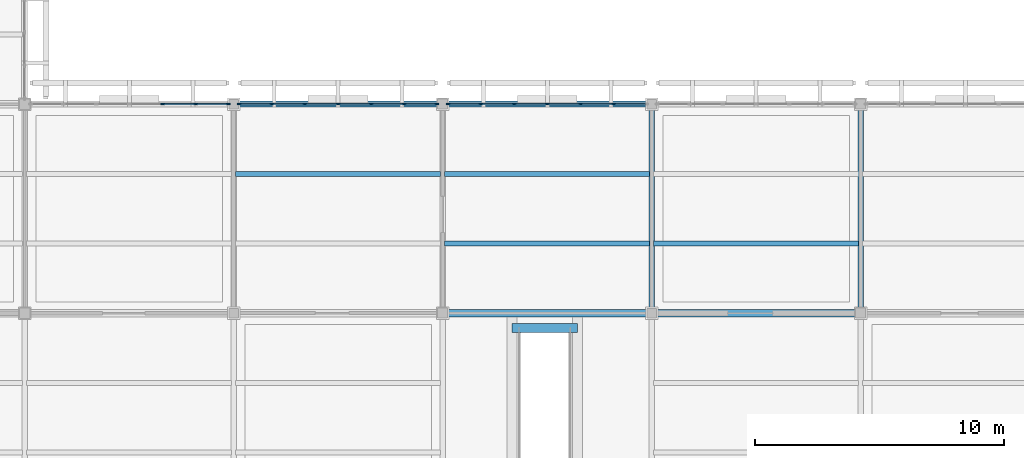
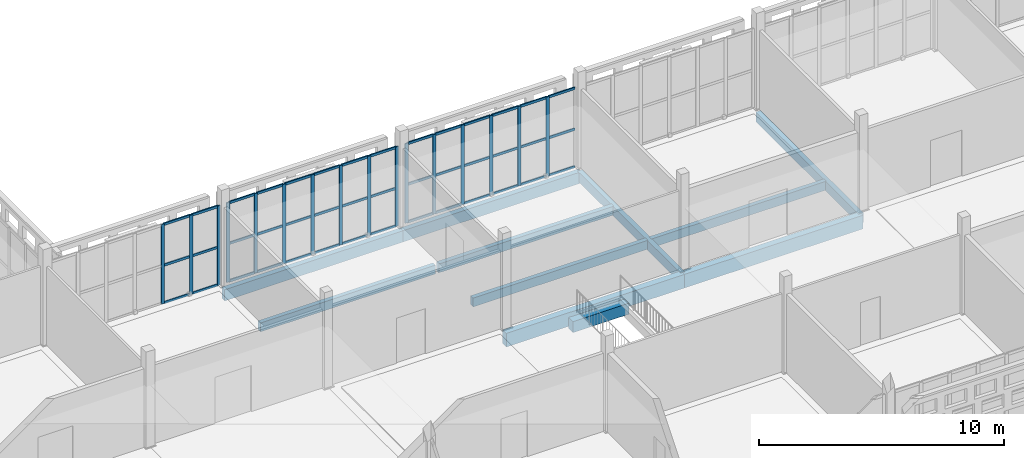
# One storey, part 35 of 203: 58 members, 11 beams, 3 elements without a shape of their own.
"""IFC4 building model written with IfcOpenShell, lengths in metres."""

from ifc_helpers import new_model, si_unit, direction, frame, origin, origin_2d, place, context, subcontext, project, spatial, rectangle, extrude, material, layer, layer_set, material_profile, profile_set, type_object, element, aggregate, save


model = new_model("IFC4")

# Units and contexts
model_context = context("Model", 3, precision=1e-05, world=origin(), true_north=direction((0.0, 1.0)))
body_context = subcontext(model_context, "Body", "Model", "MODEL_VIEW")
ifc_project = project(units=[si_unit("LENGTHUNIT", "METRE"), si_unit("AREAUNIT", "SQUARE_METRE"), si_unit("VOLUMEUNIT", "CUBIC_METRE"), si_unit("PLANEANGLEUNIT", "RADIAN"), si_unit("MASSUNIT", "GRAM", prefix="KILO")], contexts=[model_context])

# Site, building, storey
site_placement = place(None, origin())
site = spatial("IfcSite", under=ifc_project, at=site_placement, CompositionType="ELEMENT")
building_placement = place(site_placement, origin())
building = spatial("IfcBuilding", under=site, at=building_placement, Name="Varnapada Polytechnic", CompositionType="ELEMENT")
storey_placement = place(building_placement, frame((0.0, 0.0, 4.800048828125)))
storey = spatial("IfcBuildingStorey", under=building, at=storey_placement, Name="L01", CompositionType="ELEMENT", Elevation=4.800048828125)

# Beams
ifc_material_1 = material(Name="Concrete C40/50", Category="concrete")
ifc_material_profile_1 = material_profile(ifc_material_1, rectangle(XDim=0.35009765625, YDim=0.550048828125, at=origin_2d()), Name="RC 350x550")
ifc_profile_set_1 = profile_set([ifc_material_profile_1], Name="Concrete C40/50")
beam_type_1 = type_object("IfcBeamType", Name="Concrete podium spandrel beam SP-01 (RC 350x550)", PredefinedType="SPANDREL", material=ifc_profile_set_1)
beam_1_placement = place(storey_placement, frame((78.3798828125, 33.0, -0.53515625), z_axis=(1.0, 0.0, 0.0), x_axis=(0.0, 1.0, 0.0)))
element("IfcBeam", 1, at=beam_1_placement, inside=storey, type_object=beam_type_1, Name="L01 feature stair ST-F5 arrival beam", PredefinedType="SPANDREL", context=body_context, shape_type="SweptSolid", body=[
    extrude(rectangle(XDim=0.35009765625, YDim=0.550048828125, at=origin_2d()), origin(), (0.0, 0.0, 1.0), 2.64013671875),
])
ifc_material_2 = material(Name="Glulam GL32h", Category="wood")
ifc_material_profile_2 = material_profile(ifc_material_2, rectangle(XDim=0.199951171875, YDim=0.43994140625, at=origin_2d()), Name="GL 200x440")
ifc_profile_set_2 = profile_set([ifc_material_profile_2], Name="Glulam GL32h")
beam_type_2 = type_object("IfcBeamType", Name="Heavy laboratory glulam joist GJ-03 (GL 200x440)", PredefinedType="JOIST", material=ifc_profile_set_2)
for number, where, z_axis, x_axis, name in (
    (2, (67.280029296875, 39.199951171875, -0.469970703125), (1.0, 0.0, 0.0), (0.0, 1.0, 0.0), "L01 floor joist 9/5.2"),
    (3, (75.679931640625, 36.39990234375, -0.469970703125), (1.0, 0.0, 0.0), (0.0, 1.0, 0.0), "L01 floor joist 10/5.1"),
    (4, (75.679931640625, 39.199951171875, -0.469970703125), (1.0, 0.0, 0.0), (0.0, 1.0, 0.0), "L01 floor joist 10/5.2"),
    (5, (84.080078125, 36.39990234375, -0.469970703125), (1.0, 0.0, 0.0), (0.0, 1.0, 0.0), "L01 floor joist 11/5.1"),
):
    element("IfcBeam", number, at=place(storey_placement, frame(where, z_axis=z_axis, x_axis=x_axis)), inside=storey, type_object=beam_type_2, Name=name, PredefinedType="JOIST", context=body_context, shape_type="SweptSolid", body=[
        extrude(rectangle(XDim=0.199951171875, YDim=0.43994140625, at=origin_2d()), origin(), (0.0, 0.0, 1.0), 8.239990234375),
    ])

# Curtain wall, members
ifc_material_3 = material(Name="Double low-E laminated glass", Category="glass")
ifc_layer = layer(ifc_material_3, 0.159912109375)
ifc_layer_set = layer_set([ifc_layer], Name="Double low-E laminated glass")
curtain_wall_type = type_object("IfcCurtainWallType", Name="Curtain Wall CW-01", PredefinedType="NOTDEFINED", material=ifc_layer_set)
curtain_wall_1_placement = place(storey_placement, origin())
curtain_wall_1 = element("IfcCurtainWall", 6, at=curtain_wall_1_placement, inside=storey, type_object=curtain_wall_type, Name="L01 unitised curtain wall CW-01 (56)", PredefinedType="NOTDEFINED")
ifc_material_4 = material(Name="Anodised aluminium", Category="aluminium")
ifc_material_profile_3 = material_profile(ifc_material_4, rectangle(XDim=0.06005859375, YDim=0.159912109375, at=origin_2d()), Name="ALU M60x160")
ifc_profile_set_3 = profile_set([ifc_material_profile_3], Name="Anodised aluminium")
member_type_1 = type_object("IfcMemberType", Name="Mullion M-01", PredefinedType="MULLION", material=ifc_profile_set_3)
member_1_placement = place(storey_placement, frame((64.34326171875, 42.0, 0.0), z_axis=(0.0, 0.0, 1.0), x_axis=(0.0, 1.0, 0.0)))
member_1 = element("IfcMember", 7, at=member_1_placement, type_object=member_type_1, Name="CW-01 mullion 5", PredefinedType="MULLION", context=body_context, shape_type="SweptSolid", body=[
    extrude(rectangle(XDim=0.06005859375, YDim=0.159912109375, at=origin_2d()), origin(), (0.0, 0.0, 1.0), 3.9599609375),
])
member_2_placement = place(storey_placement, frame((65.6767578125, 42.0, 0.0), z_axis=(0.0, 0.0, 1.0), x_axis=(0.0, 1.0, 0.0)))
member_2 = element("IfcMember", 8, at=member_2_placement, type_object=member_type_1, Name="CW-01 mullion 6", PredefinedType="MULLION", context=body_context, shape_type="SweptSolid", body=[
    extrude(rectangle(XDim=0.06005859375, YDim=0.159912109375, at=origin_2d()), origin(), (0.0, 0.0, 1.0), 3.9599609375),
])
member_3_placement = place(storey_placement, frame((66.97998046875, 42.0, 0.0), z_axis=(0.0, 0.0, 1.0), x_axis=(0.0, 1.0, 0.0)))
member_3 = element("IfcMember", 9, at=member_3_placement, type_object=member_type_1, Name="CW-01 mullion 7", PredefinedType="MULLION", context=body_context, shape_type="SweptSolid", body=[
    extrude(rectangle(XDim=0.06005859375, YDim=0.159912109375, at=origin_2d()), origin(), (0.0, 0.0, 1.0), 3.9599609375),
])

curtain_wall_2_placement = place(storey_placement, origin())
curtain_wall_2 = element("IfcCurtainWall", 10, at=curtain_wall_2_placement, inside=storey, type_object=curtain_wall_type, Name="L01 unitised curtain wall CW-01 (61)", PredefinedType="NOTDEFINED")
member_4_placement = place(storey_placement, frame((67.419921875, 42.0, 0.0), z_axis=(0.0, 0.0, 1.0), x_axis=(0.0, 1.0, 0.0)))
member_4 = element("IfcMember", 11, at=member_4_placement, type_object=member_type_1, Name="CW-01 mullion 1", PredefinedType="MULLION", context=body_context, shape_type="SweptSolid", body=[
    extrude(rectangle(XDim=0.06005859375, YDim=0.159912109375, at=origin_2d()), origin(), (0.0, 0.0, 1.0), 3.9599609375),
])
member_5_placement = place(storey_placement, frame((68.72509765625, 42.0, 0.0), z_axis=(0.0, 0.0, 1.0), x_axis=(0.0, 1.0, 0.0)))
member_5 = element("IfcMember", 12, at=member_5_placement, type_object=member_type_1, Name="CW-01 mullion 2", PredefinedType="MULLION", context=body_context, shape_type="SweptSolid", body=[
    extrude(rectangle(XDim=0.06005859375, YDim=0.159912109375, at=origin_2d()), origin(), (0.0, 0.0, 1.0), 3.9599609375),
])
member_6_placement = place(storey_placement, frame((70.06005859375, 42.0, 0.0), z_axis=(0.0, 0.0, 1.0), x_axis=(0.0, 1.0, 0.0)))
member_6 = element("IfcMember", 13, at=member_6_placement, type_object=member_type_1, Name="CW-01 mullion 3", PredefinedType="MULLION", context=body_context, shape_type="SweptSolid", body=[
    extrude(rectangle(XDim=0.06005859375, YDim=0.159912109375, at=origin_2d()), origin(), (0.0, 0.0, 1.0), 3.9599609375),
])
member_7_placement = place(storey_placement, frame((71.39501953125, 42.0, 0.0), z_axis=(0.0, 0.0, 1.0), x_axis=(0.0, 1.0, 0.0)))
member_7 = element("IfcMember", 14, at=member_7_placement, type_object=member_type_1, Name="CW-01 mullion 4", PredefinedType="MULLION", context=body_context, shape_type="SweptSolid", body=[
    extrude(rectangle(XDim=0.06005859375, YDim=0.159912109375, at=origin_2d()), origin(), (0.0, 0.0, 1.0), 3.9599609375),
])
member_8_placement = place(storey_placement, frame((72.72998046875, 42.0, 0.0), z_axis=(0.0, 0.0, 1.0), x_axis=(0.0, 1.0, 0.0)))
member_8 = element("IfcMember", 15, at=member_8_placement, type_object=member_type_1, Name="CW-01 mullion 5", PredefinedType="MULLION", context=body_context, shape_type="SweptSolid", body=[
    extrude(rectangle(XDim=0.06005859375, YDim=0.159912109375, at=origin_2d()), origin(), (0.0, 0.0, 1.0), 3.9599609375),
])
member_9_placement = place(storey_placement, frame((74.06494140625, 42.0, 0.0), z_axis=(0.0, 0.0, 1.0), x_axis=(0.0, 1.0, 0.0)))
member_9 = element("IfcMember", 16, at=member_9_placement, type_object=member_type_1, Name="CW-01 mullion 6", PredefinedType="MULLION", context=body_context, shape_type="SweptSolid", body=[
    extrude(rectangle(XDim=0.06005859375, YDim=0.159912109375, at=origin_2d()), origin(), (0.0, 0.0, 1.0), 3.9599609375),
])
member_10_placement = place(storey_placement, frame((75.3701171875, 42.0, 0.0), z_axis=(0.0, 0.0, 1.0), x_axis=(0.0, 1.0, 0.0)))
member_10 = element("IfcMember", 17, at=member_10_placement, type_object=member_type_1, Name="CW-01 mullion 7", PredefinedType="MULLION", context=body_context, shape_type="SweptSolid", body=[
    extrude(rectangle(XDim=0.06005859375, YDim=0.159912109375, at=origin_2d()), origin(), (0.0, 0.0, 1.0), 3.9599609375),
])

curtain_wall_3_placement = place(storey_placement, origin())
curtain_wall_3 = element("IfcCurtainWall", 18, at=curtain_wall_3_placement, inside=storey, type_object=curtain_wall_type, Name="L01 unitised curtain wall CW-01 (65)", PredefinedType="NOTDEFINED")
member_11_placement = place(storey_placement, frame((75.830078125, 42.0, 0.0), z_axis=(0.0, 0.0, 1.0), x_axis=(0.0, 1.0, 0.0)))
member_11 = element("IfcMember", 19, at=member_11_placement, type_object=member_type_1, Name="CW-01 mullion 1", PredefinedType="MULLION", context=body_context, shape_type="SweptSolid", body=[
    extrude(rectangle(XDim=0.06005859375, YDim=0.159912109375, at=origin_2d()), origin(), (0.0, 0.0, 1.0), 3.9599609375),
])
member_12_placement = place(storey_placement, frame((77.135009765625, 42.0, 0.0), z_axis=(0.0, 0.0, 1.0), x_axis=(0.0, 1.0, 0.0)))
member_12 = element("IfcMember", 20, at=member_12_placement, type_object=member_type_1, Name="CW-01 mullion 2", PredefinedType="MULLION", context=body_context, shape_type="SweptSolid", body=[
    extrude(rectangle(XDim=0.06005859375, YDim=0.159912109375, at=origin_2d()), origin(), (0.0, 0.0, 1.0), 3.9599609375),
])
member_13_placement = place(storey_placement, frame((78.469970703125, 42.0, 0.0), z_axis=(0.0, 0.0, 1.0), x_axis=(0.0, 1.0, 0.0)))
member_13 = element("IfcMember", 21, at=member_13_placement, type_object=member_type_1, Name="CW-01 mullion 3", PredefinedType="MULLION", context=body_context, shape_type="SweptSolid", body=[
    extrude(rectangle(XDim=0.06005859375, YDim=0.159912109375, at=origin_2d()), origin(), (0.0, 0.0, 1.0), 3.9599609375),
])
member_14_placement = place(storey_placement, frame((79.804931640625, 42.0, 0.0), z_axis=(0.0, 0.0, 1.0), x_axis=(0.0, 1.0, 0.0)))
member_14 = element("IfcMember", 22, at=member_14_placement, type_object=member_type_1, Name="CW-01 mullion 4", PredefinedType="MULLION", context=body_context, shape_type="SweptSolid", body=[
    extrude(rectangle(XDim=0.06005859375, YDim=0.159912109375, at=origin_2d()), origin(), (0.0, 0.0, 1.0), 3.9599609375),
])
member_15_placement = place(storey_placement, frame((81.139892578125, 42.0, 0.0), z_axis=(0.0, 0.0, 1.0), x_axis=(0.0, 1.0, 0.0)))
member_15 = element("IfcMember", 23, at=member_15_placement, type_object=member_type_1, Name="CW-01 mullion 5", PredefinedType="MULLION", context=body_context, shape_type="SweptSolid", body=[
    extrude(rectangle(XDim=0.06005859375, YDim=0.159912109375, at=origin_2d()), origin(), (0.0, 0.0, 1.0), 3.9599609375),
])
member_16_placement = place(storey_placement, frame((82.47509765625, 42.0, 0.0), z_axis=(0.0, 0.0, 1.0), x_axis=(0.0, 1.0, 0.0)))
member_16 = element("IfcMember", 24, at=member_16_placement, type_object=member_type_1, Name="CW-01 mullion 6", PredefinedType="MULLION", context=body_context, shape_type="SweptSolid", body=[
    extrude(rectangle(XDim=0.06005859375, YDim=0.159912109375, at=origin_2d()), origin(), (0.0, 0.0, 1.0), 3.9599609375),
])

# Beams
ifc_material_profile_4 = material_profile(ifc_material_2, rectangle(XDim=0.239990234375, YDim=0.56005859375, at=origin_2d()), Name="GL 240x560")
ifc_profile_set_4 = profile_set([ifc_material_profile_4], Name="Glulam GL32h")
beam_type_3 = type_object("IfcBeamType", Name="Perimeter glulam spandrel beam SP-02 (GL 240x560)", PredefinedType="SPANDREL", material=ifc_profile_set_4)
beam_2_placement = place(storey_placement, frame((67.199951171875, 42.0, -0.530029296875), z_axis=(1.0, 0.0, 0.0), x_axis=(0.0, 1.0, 0.0)))
element("IfcBeam", 25, at=beam_2_placement, inside=storey, type_object=beam_type_3, Name="L01 beam X 9-10 at Y6", PredefinedType="SPANDREL", context=body_context, shape_type="SweptSolid", body=[
    extrude(rectangle(XDim=0.239990234375, YDim=0.56005859375, at=origin_2d()), origin(), (0.0, 0.0, 1.0), 8.400146484375),
])
beam_3_placement = place(storey_placement, frame((75.60009765625, 42.0, -0.530029296875), z_axis=(1.0, 0.0, 0.0), x_axis=(0.0, 1.0, 0.0)))
element("IfcBeam", 26, at=beam_3_placement, inside=storey, type_object=beam_type_3, Name="L01 beam X 10-11 at Y6", PredefinedType="SPANDREL", context=body_context, shape_type="SweptSolid", body=[
    extrude(rectangle(XDim=0.239990234375, YDim=0.56005859375, at=origin_2d()), origin(), (0.0, 0.0, 1.0), 8.39990234375),
])

# Member
ifc_material_profile_5 = material_profile(ifc_material_4, rectangle(XDim=0.06005859375, YDim=0.1201171875, at=origin_2d()), Name="ALU T60x120")
ifc_profile_set_5 = profile_set([ifc_material_profile_5], Name="Anodised aluminium")
member_type_2 = type_object("IfcMemberType", Name="Transom T-01", PredefinedType="USERDEFINED", material=ifc_profile_set_5)
member_17_placement = place(storey_placement, frame((64.373291015625, 42.0, 0.030029296875), z_axis=(1.0, 0.0, 0.0), x_axis=(0.0, 1.0, 0.0)))
member_17 = element("IfcMember", 27, at=member_17_placement, type_object=member_type_2, Name="CW-01 transom 5.1", ObjectType="TRANSOM", PredefinedType="USERDEFINED", context=body_context, shape_type="SweptSolid", body=[
    extrude(rectangle(XDim=0.06005859375, YDim=0.1201171875, at=origin_2d()), origin(), (0.0, 0.0, 1.0), 1.2734375),
])

member_18_placement = place(storey_placement, frame((64.373291015625, 42.0, 1.900634765625), z_axis=(1.0, 0.0, 0.0), x_axis=(0.0, 1.0, 0.0)))
member_18 = element("IfcMember", 28, at=member_18_placement, type_object=member_type_2, Name="CW-01 transom 5.2", ObjectType="TRANSOM", PredefinedType="USERDEFINED", context=body_context, shape_type="SweptSolid", body=[
    extrude(rectangle(XDim=0.06005859375, YDim=0.1201171875, at=origin_2d()), origin(), (0.0, 0.0, 1.0), 1.2734375),
])

member_19_placement = place(storey_placement, frame((64.373291015625, 42.0, 3.929931640625), z_axis=(1.0, 0.0, 0.0), x_axis=(0.0, 1.0, 0.0)))
member_19 = element("IfcMember", 29, at=member_19_placement, type_object=member_type_2, Name="CW-01 transom 5.3", ObjectType="TRANSOM", PredefinedType="USERDEFINED", context=body_context, shape_type="SweptSolid", body=[
    extrude(rectangle(XDim=0.06005859375, YDim=0.1201171875, at=origin_2d()), origin(), (0.0, 0.0, 1.0), 1.2734375),
])

member_20_placement = place(storey_placement, frame((65.706787109375, 42.0, 0.030029296875), z_axis=(1.0, 0.0, 0.0), x_axis=(0.0, 1.0, 0.0)))
member_20 = element("IfcMember", 30, at=member_20_placement, type_object=member_type_2, Name="CW-01 transom 6.1", ObjectType="TRANSOM", PredefinedType="USERDEFINED", context=body_context, shape_type="SweptSolid", body=[
    extrude(rectangle(XDim=0.06005859375, YDim=0.1201171875, at=origin_2d()), origin(), (0.0, 0.0, 1.0), 1.2431640625),
])

member_21_placement = place(storey_placement, frame((65.706787109375, 42.0, 1.900634765625), z_axis=(1.0, 0.0, 0.0), x_axis=(0.0, 1.0, 0.0)))
member_21 = element("IfcMember", 31, at=member_21_placement, type_object=member_type_2, Name="CW-01 transom 6.2", ObjectType="TRANSOM", PredefinedType="USERDEFINED", context=body_context, shape_type="SweptSolid", body=[
    extrude(rectangle(XDim=0.06005859375, YDim=0.1201171875, at=origin_2d()), origin(), (0.0, 0.0, 1.0), 1.2431640625),
])

member_22_placement = place(storey_placement, frame((65.706787109375, 42.0, 3.929931640625), z_axis=(1.0, 0.0, 0.0), x_axis=(0.0, 1.0, 0.0)))
member_22 = element("IfcMember", 32, at=member_22_placement, type_object=member_type_2, Name="CW-01 transom 6.3", ObjectType="TRANSOM", PredefinedType="USERDEFINED", context=body_context, shape_type="SweptSolid", body=[
    extrude(rectangle(XDim=0.06005859375, YDim=0.1201171875, at=origin_2d()), origin(), (0.0, 0.0, 1.0), 1.2431640625),
])

aggregate(curtain_wall_1, [member_1, member_2, member_3, member_17, member_18, member_19, member_20, member_21, member_22])

member_23_placement = place(storey_placement, frame((67.449951171875, 42.0, 0.030029296875), z_axis=(1.0, 0.0, 0.0), x_axis=(0.0, 1.0, 0.0)))
member_23 = element("IfcMember", 33, at=member_23_placement, type_object=member_type_2, Name="CW-01 transom 1.1", ObjectType="TRANSOM", PredefinedType="USERDEFINED", context=body_context, shape_type="SweptSolid", body=[
    extrude(rectangle(XDim=0.06005859375, YDim=0.1201171875, at=origin_2d()), origin(), (0.0, 0.0, 1.0), 1.2451171875),
])

member_24_placement = place(storey_placement, frame((67.449951171875, 42.0, 1.900634765625), z_axis=(1.0, 0.0, 0.0), x_axis=(0.0, 1.0, 0.0)))
member_24 = element("IfcMember", 34, at=member_24_placement, type_object=member_type_2, Name="CW-01 transom 1.2", ObjectType="TRANSOM", PredefinedType="USERDEFINED", context=body_context, shape_type="SweptSolid", body=[
    extrude(rectangle(XDim=0.06005859375, YDim=0.1201171875, at=origin_2d()), origin(), (0.0, 0.0, 1.0), 1.2451171875),
])

member_25_placement = place(storey_placement, frame((67.449951171875, 42.0, 3.929931640625), z_axis=(1.0, 0.0, 0.0), x_axis=(0.0, 1.0, 0.0)))
member_25 = element("IfcMember", 35, at=member_25_placement, type_object=member_type_2, Name="CW-01 transom 1.3", ObjectType="TRANSOM", PredefinedType="USERDEFINED", context=body_context, shape_type="SweptSolid", body=[
    extrude(rectangle(XDim=0.06005859375, YDim=0.1201171875, at=origin_2d()), origin(), (0.0, 0.0, 1.0), 1.2451171875),
])

member_26_placement = place(storey_placement, frame((68.7548828125, 42.0, 0.030029296875), z_axis=(1.0, 0.0, 0.0), x_axis=(0.0, 1.0, 0.0)))
member_26 = element("IfcMember", 36, at=member_26_placement, type_object=member_type_2, Name="CW-01 transom 2.1", ObjectType="TRANSOM", PredefinedType="USERDEFINED", context=body_context, shape_type="SweptSolid", body=[
    extrude(rectangle(XDim=0.06005859375, YDim=0.1201171875, at=origin_2d()), origin(), (0.0, 0.0, 1.0), 1.275146484375),
])

member_27_placement = place(storey_placement, frame((68.7548828125, 42.0, 1.900634765625), z_axis=(1.0, 0.0, 0.0), x_axis=(0.0, 1.0, 0.0)))
member_27 = element("IfcMember", 37, at=member_27_placement, type_object=member_type_2, Name="CW-01 transom 2.2", ObjectType="TRANSOM", PredefinedType="USERDEFINED", context=body_context, shape_type="SweptSolid", body=[
    extrude(rectangle(XDim=0.06005859375, YDim=0.1201171875, at=origin_2d()), origin(), (0.0, 0.0, 1.0), 1.275146484375),
])

member_28_placement = place(storey_placement, frame((68.7548828125, 42.0, 3.929931640625), z_axis=(1.0, 0.0, 0.0), x_axis=(0.0, 1.0, 0.0)))
member_28 = element("IfcMember", 38, at=member_28_placement, type_object=member_type_2, Name="CW-01 transom 2.3", ObjectType="TRANSOM", PredefinedType="USERDEFINED", context=body_context, shape_type="SweptSolid", body=[
    extrude(rectangle(XDim=0.06005859375, YDim=0.1201171875, at=origin_2d()), origin(), (0.0, 0.0, 1.0), 1.275146484375),
])

member_29_placement = place(storey_placement, frame((70.090087890625, 42.0, 0.030029296875), z_axis=(1.0, 0.0, 0.0), x_axis=(0.0, 1.0, 0.0)))
member_29 = element("IfcMember", 39, at=member_29_placement, type_object=member_type_2, Name="CW-01 transom 3.1", ObjectType="TRANSOM", PredefinedType="USERDEFINED", context=body_context, shape_type="SweptSolid", body=[
    extrude(rectangle(XDim=0.06005859375, YDim=0.1201171875, at=origin_2d()), origin(), (0.0, 0.0, 1.0), 1.27490234375),
])

member_30_placement = place(storey_placement, frame((70.090087890625, 42.0, 1.900634765625), z_axis=(1.0, 0.0, 0.0), x_axis=(0.0, 1.0, 0.0)))
member_30 = element("IfcMember", 40, at=member_30_placement, type_object=member_type_2, Name="CW-01 transom 3.2", ObjectType="TRANSOM", PredefinedType="USERDEFINED", context=body_context, shape_type="SweptSolid", body=[
    extrude(rectangle(XDim=0.06005859375, YDim=0.1201171875, at=origin_2d()), origin(), (0.0, 0.0, 1.0), 1.27490234375),
])

member_31_placement = place(storey_placement, frame((70.090087890625, 42.0, 3.929931640625), z_axis=(1.0, 0.0, 0.0), x_axis=(0.0, 1.0, 0.0)))
member_31 = element("IfcMember", 41, at=member_31_placement, type_object=member_type_2, Name="CW-01 transom 3.3", ObjectType="TRANSOM", PredefinedType="USERDEFINED", context=body_context, shape_type="SweptSolid", body=[
    extrude(rectangle(XDim=0.06005859375, YDim=0.1201171875, at=origin_2d()), origin(), (0.0, 0.0, 1.0), 1.27490234375),
])

member_32_placement = place(storey_placement, frame((71.425048828125, 42.0, 0.030029296875), z_axis=(1.0, 0.0, 0.0), x_axis=(0.0, 1.0, 0.0)))
member_32 = element("IfcMember", 42, at=member_32_placement, type_object=member_type_2, Name="CW-01 transom 4.1", ObjectType="TRANSOM", PredefinedType="USERDEFINED", context=body_context, shape_type="SweptSolid", body=[
    extrude(rectangle(XDim=0.06005859375, YDim=0.1201171875, at=origin_2d()), origin(), (0.0, 0.0, 1.0), 1.27490234375),
])

member_33_placement = place(storey_placement, frame((71.425048828125, 42.0, 1.900634765625), z_axis=(1.0, 0.0, 0.0), x_axis=(0.0, 1.0, 0.0)))
member_33 = element("IfcMember", 43, at=member_33_placement, type_object=member_type_2, Name="CW-01 transom 4.2", ObjectType="TRANSOM", PredefinedType="USERDEFINED", context=body_context, shape_type="SweptSolid", body=[
    extrude(rectangle(XDim=0.06005859375, YDim=0.1201171875, at=origin_2d()), origin(), (0.0, 0.0, 1.0), 1.27490234375),
])

member_34_placement = place(storey_placement, frame((71.425048828125, 42.0, 3.929931640625), z_axis=(1.0, 0.0, 0.0), x_axis=(0.0, 1.0, 0.0)))
member_34 = element("IfcMember", 44, at=member_34_placement, type_object=member_type_2, Name="CW-01 transom 4.3", ObjectType="TRANSOM", PredefinedType="USERDEFINED", context=body_context, shape_type="SweptSolid", body=[
    extrude(rectangle(XDim=0.06005859375, YDim=0.1201171875, at=origin_2d()), origin(), (0.0, 0.0, 1.0), 1.27490234375),
])

member_35_placement = place(storey_placement, frame((72.760009765625, 42.0, 0.030029296875), z_axis=(1.0, 0.0, 0.0), x_axis=(0.0, 1.0, 0.0)))
member_35 = element("IfcMember", 45, at=member_35_placement, type_object=member_type_2, Name="CW-01 transom 5.1", ObjectType="TRANSOM", PredefinedType="USERDEFINED", context=body_context, shape_type="SweptSolid", body=[
    extrude(rectangle(XDim=0.06005859375, YDim=0.1201171875, at=origin_2d()), origin(), (0.0, 0.0, 1.0), 1.27490234375),
])

member_36_placement = place(storey_placement, frame((72.760009765625, 42.0, 1.900634765625), z_axis=(1.0, 0.0, 0.0), x_axis=(0.0, 1.0, 0.0)))
member_36 = element("IfcMember", 46, at=member_36_placement, type_object=member_type_2, Name="CW-01 transom 5.2", ObjectType="TRANSOM", PredefinedType="USERDEFINED", context=body_context, shape_type="SweptSolid", body=[
    extrude(rectangle(XDim=0.06005859375, YDim=0.1201171875, at=origin_2d()), origin(), (0.0, 0.0, 1.0), 1.27490234375),
])

member_37_placement = place(storey_placement, frame((72.760009765625, 42.0, 3.929931640625), z_axis=(1.0, 0.0, 0.0), x_axis=(0.0, 1.0, 0.0)))
member_37 = element("IfcMember", 47, at=member_37_placement, type_object=member_type_2, Name="CW-01 transom 5.3", ObjectType="TRANSOM", PredefinedType="USERDEFINED", context=body_context, shape_type="SweptSolid", body=[
    extrude(rectangle(XDim=0.06005859375, YDim=0.1201171875, at=origin_2d()), origin(), (0.0, 0.0, 1.0), 1.27490234375),
])

member_38_placement = place(storey_placement, frame((74.094970703125, 42.0, 0.030029296875), z_axis=(1.0, 0.0, 0.0), x_axis=(0.0, 1.0, 0.0)))
member_38 = element("IfcMember", 48, at=member_38_placement, type_object=member_type_2, Name="CW-01 transom 6.1", ObjectType="TRANSOM", PredefinedType="USERDEFINED", context=body_context, shape_type="SweptSolid", body=[
    extrude(rectangle(XDim=0.06005859375, YDim=0.1201171875, at=origin_2d()), origin(), (0.0, 0.0, 1.0), 1.2451171875),
])

member_39_placement = place(storey_placement, frame((74.094970703125, 42.0, 1.900634765625), z_axis=(1.0, 0.0, 0.0), x_axis=(0.0, 1.0, 0.0)))
member_39 = element("IfcMember", 49, at=member_39_placement, type_object=member_type_2, Name="CW-01 transom 6.2", ObjectType="TRANSOM", PredefinedType="USERDEFINED", context=body_context, shape_type="SweptSolid", body=[
    extrude(rectangle(XDim=0.06005859375, YDim=0.1201171875, at=origin_2d()), origin(), (0.0, 0.0, 1.0), 1.2451171875),
])

member_40_placement = place(storey_placement, frame((74.094970703125, 42.0, 3.929931640625), z_axis=(1.0, 0.0, 0.0), x_axis=(0.0, 1.0, 0.0)))
member_40 = element("IfcMember", 50, at=member_40_placement, type_object=member_type_2, Name="CW-01 transom 6.3", ObjectType="TRANSOM", PredefinedType="USERDEFINED", context=body_context, shape_type="SweptSolid", body=[
    extrude(rectangle(XDim=0.06005859375, YDim=0.1201171875, at=origin_2d()), origin(), (0.0, 0.0, 1.0), 1.2451171875),
])

aggregate(curtain_wall_2, [member_4, member_5, member_6, member_7, member_8, member_9, member_10, member_23, member_24, member_25, member_26, member_27, member_28, member_29, member_30, member_31, member_32, member_33, member_34, member_35, member_36, member_37, member_38, member_39, member_40])

member_41_placement = place(storey_placement, frame((75.860107421875, 42.0, 0.030029296875), z_axis=(1.0, 0.0, 0.0), x_axis=(0.0, 1.0, 0.0)))
member_41 = element("IfcMember", 51, at=member_41_placement, type_object=member_type_2, Name="CW-01 transom 1.1", ObjectType="TRANSOM", PredefinedType="USERDEFINED", context=body_context, shape_type="SweptSolid", body=[
    extrude(rectangle(XDim=0.06005859375, YDim=0.1201171875, at=origin_2d()), origin(), (0.0, 0.0, 1.0), 1.244873046875),
])

member_42_placement = place(storey_placement, frame((75.860107421875, 42.0, 1.900634765625), z_axis=(1.0, 0.0, 0.0), x_axis=(0.0, 1.0, 0.0)))
member_42 = element("IfcMember", 52, at=member_42_placement, type_object=member_type_2, Name="CW-01 transom 1.2", ObjectType="TRANSOM", PredefinedType="USERDEFINED", context=body_context, shape_type="SweptSolid", body=[
    extrude(rectangle(XDim=0.06005859375, YDim=0.1201171875, at=origin_2d()), origin(), (0.0, 0.0, 1.0), 1.244873046875),
])

member_43_placement = place(storey_placement, frame((75.860107421875, 42.0, 3.929931640625), z_axis=(1.0, 0.0, 0.0), x_axis=(0.0, 1.0, 0.0)))
member_43 = element("IfcMember", 53, at=member_43_placement, type_object=member_type_2, Name="CW-01 transom 1.3", ObjectType="TRANSOM", PredefinedType="USERDEFINED", context=body_context, shape_type="SweptSolid", body=[
    extrude(rectangle(XDim=0.06005859375, YDim=0.1201171875, at=origin_2d()), origin(), (0.0, 0.0, 1.0), 1.244873046875),
])

member_44_placement = place(storey_placement, frame((77.1650390625, 42.0, 0.030029296875), z_axis=(1.0, 0.0, 0.0), x_axis=(0.0, 1.0, 0.0)))
member_44 = element("IfcMember", 54, at=member_44_placement, type_object=member_type_2, Name="CW-01 transom 2.1", ObjectType="TRANSOM", PredefinedType="USERDEFINED", context=body_context, shape_type="SweptSolid", body=[
    extrude(rectangle(XDim=0.06005859375, YDim=0.1201171875, at=origin_2d()), origin(), (0.0, 0.0, 1.0), 1.27490234375),
])

member_45_placement = place(storey_placement, frame((77.1650390625, 42.0, 1.900634765625), z_axis=(1.0, 0.0, 0.0), x_axis=(0.0, 1.0, 0.0)))
member_45 = element("IfcMember", 55, at=member_45_placement, type_object=member_type_2, Name="CW-01 transom 2.2", ObjectType="TRANSOM", PredefinedType="USERDEFINED", context=body_context, shape_type="SweptSolid", body=[
    extrude(rectangle(XDim=0.06005859375, YDim=0.1201171875, at=origin_2d()), origin(), (0.0, 0.0, 1.0), 1.27490234375),
])

member_46_placement = place(storey_placement, frame((77.1650390625, 42.0, 3.929931640625), z_axis=(1.0, 0.0, 0.0), x_axis=(0.0, 1.0, 0.0)))
member_46 = element("IfcMember", 56, at=member_46_placement, type_object=member_type_2, Name="CW-01 transom 2.3", ObjectType="TRANSOM", PredefinedType="USERDEFINED", context=body_context, shape_type="SweptSolid", body=[
    extrude(rectangle(XDim=0.06005859375, YDim=0.1201171875, at=origin_2d()), origin(), (0.0, 0.0, 1.0), 1.27490234375),
])

member_47_placement = place(storey_placement, frame((78.5, 42.0, 0.030029296875), z_axis=(1.0, 0.0, 0.0), x_axis=(0.0, 1.0, 0.0)))
member_47 = element("IfcMember", 57, at=member_47_placement, type_object=member_type_2, Name="CW-01 transom 3.1", ObjectType="TRANSOM", PredefinedType="USERDEFINED", context=body_context, shape_type="SweptSolid", body=[
    extrude(rectangle(XDim=0.06005859375, YDim=0.1201171875, at=origin_2d()), origin(), (0.0, 0.0, 1.0), 1.27490234375),
])

member_48_placement = place(storey_placement, frame((78.5, 42.0, 1.900634765625), z_axis=(1.0, 0.0, 0.0), x_axis=(0.0, 1.0, 0.0)))
member_48 = element("IfcMember", 58, at=member_48_placement, type_object=member_type_2, Name="CW-01 transom 3.2", ObjectType="TRANSOM", PredefinedType="USERDEFINED", context=body_context, shape_type="SweptSolid", body=[
    extrude(rectangle(XDim=0.06005859375, YDim=0.1201171875, at=origin_2d()), origin(), (0.0, 0.0, 1.0), 1.27490234375),
])

member_49_placement = place(storey_placement, frame((78.5, 42.0, 3.929931640625), z_axis=(1.0, 0.0, 0.0), x_axis=(0.0, 1.0, 0.0)))
member_49 = element("IfcMember", 59, at=member_49_placement, type_object=member_type_2, Name="CW-01 transom 3.3", ObjectType="TRANSOM", PredefinedType="USERDEFINED", context=body_context, shape_type="SweptSolid", body=[
    extrude(rectangle(XDim=0.06005859375, YDim=0.1201171875, at=origin_2d()), origin(), (0.0, 0.0, 1.0), 1.27490234375),
])

member_50_placement = place(storey_placement, frame((79.8349609375, 42.0, 0.030029296875), z_axis=(1.0, 0.0, 0.0), x_axis=(0.0, 1.0, 0.0)))
member_50 = element("IfcMember", 60, at=member_50_placement, type_object=member_type_2, Name="CW-01 transom 4.1", ObjectType="TRANSOM", PredefinedType="USERDEFINED", context=body_context, shape_type="SweptSolid", body=[
    extrude(rectangle(XDim=0.06005859375, YDim=0.1201171875, at=origin_2d()), origin(), (0.0, 0.0, 1.0), 1.275146484375),
])

member_51_placement = place(storey_placement, frame((79.8349609375, 42.0, 1.900634765625), z_axis=(1.0, 0.0, 0.0), x_axis=(0.0, 1.0, 0.0)))
member_51 = element("IfcMember", 61, at=member_51_placement, type_object=member_type_2, Name="CW-01 transom 4.2", ObjectType="TRANSOM", PredefinedType="USERDEFINED", context=body_context, shape_type="SweptSolid", body=[
    extrude(rectangle(XDim=0.06005859375, YDim=0.1201171875, at=origin_2d()), origin(), (0.0, 0.0, 1.0), 1.275146484375),
])

member_52_placement = place(storey_placement, frame((79.8349609375, 42.0, 3.929931640625), z_axis=(1.0, 0.0, 0.0), x_axis=(0.0, 1.0, 0.0)))
member_52 = element("IfcMember", 62, at=member_52_placement, type_object=member_type_2, Name="CW-01 transom 4.3", ObjectType="TRANSOM", PredefinedType="USERDEFINED", context=body_context, shape_type="SweptSolid", body=[
    extrude(rectangle(XDim=0.06005859375, YDim=0.1201171875, at=origin_2d()), origin(), (0.0, 0.0, 1.0), 1.275146484375),
])

member_53_placement = place(storey_placement, frame((81.169921875, 42.0, 0.030029296875), z_axis=(1.0, 0.0, 0.0), x_axis=(0.0, 1.0, 0.0)))
member_53 = element("IfcMember", 63, at=member_53_placement, type_object=member_type_2, Name="CW-01 transom 5.1", ObjectType="TRANSOM", PredefinedType="USERDEFINED", context=body_context, shape_type="SweptSolid", body=[
    extrude(rectangle(XDim=0.06005859375, YDim=0.1201171875, at=origin_2d()), origin(), (0.0, 0.0, 1.0), 1.275146484375),
])

member_54_placement = place(storey_placement, frame((81.169921875, 42.0, 1.900634765625), z_axis=(1.0, 0.0, 0.0), x_axis=(0.0, 1.0, 0.0)))
member_54 = element("IfcMember", 64, at=member_54_placement, type_object=member_type_2, Name="CW-01 transom 5.2", ObjectType="TRANSOM", PredefinedType="USERDEFINED", context=body_context, shape_type="SweptSolid", body=[
    extrude(rectangle(XDim=0.06005859375, YDim=0.1201171875, at=origin_2d()), origin(), (0.0, 0.0, 1.0), 1.275146484375),
])

member_55_placement = place(storey_placement, frame((81.169921875, 42.0, 3.929931640625), z_axis=(1.0, 0.0, 0.0), x_axis=(0.0, 1.0, 0.0)))
member_55 = element("IfcMember", 65, at=member_55_placement, type_object=member_type_2, Name="CW-01 transom 5.3", ObjectType="TRANSOM", PredefinedType="USERDEFINED", context=body_context, shape_type="SweptSolid", body=[
    extrude(rectangle(XDim=0.06005859375, YDim=0.1201171875, at=origin_2d()), origin(), (0.0, 0.0, 1.0), 1.275146484375),
])

member_56_placement = place(storey_placement, frame((82.5048828125, 42.0, 0.030029296875), z_axis=(1.0, 0.0, 0.0), x_axis=(0.0, 1.0, 0.0)))
member_56 = element("IfcMember", 66, at=member_56_placement, type_object=member_type_2, Name="CW-01 transom 6.1", ObjectType="TRANSOM", PredefinedType="USERDEFINED", context=body_context, shape_type="SweptSolid", body=[
    extrude(rectangle(XDim=0.06005859375, YDim=0.1201171875, at=origin_2d()), origin(), (0.0, 0.0, 1.0), 1.2451171875),
])

member_57_placement = place(storey_placement, frame((82.5048828125, 42.0, 1.900634765625), z_axis=(1.0, 0.0, 0.0), x_axis=(0.0, 1.0, 0.0)))
member_57 = element("IfcMember", 67, at=member_57_placement, type_object=member_type_2, Name="CW-01 transom 6.2", ObjectType="TRANSOM", PredefinedType="USERDEFINED", context=body_context, shape_type="SweptSolid", body=[
    extrude(rectangle(XDim=0.06005859375, YDim=0.1201171875, at=origin_2d()), origin(), (0.0, 0.0, 1.0), 1.2451171875),
])

member_58_placement = place(storey_placement, frame((82.5048828125, 42.0, 3.929931640625), z_axis=(1.0, 0.0, 0.0), x_axis=(0.0, 1.0, 0.0)))
member_58 = element("IfcMember", 68, at=member_58_placement, type_object=member_type_2, Name="CW-01 transom 6.3", ObjectType="TRANSOM", PredefinedType="USERDEFINED", context=body_context, shape_type="SweptSolid", body=[
    extrude(rectangle(XDim=0.06005859375, YDim=0.1201171875, at=origin_2d()), origin(), (0.0, 0.0, 1.0), 1.2451171875),
])

aggregate(curtain_wall_3, [member_11, member_12, member_13, member_14, member_15, member_16, member_41, member_42, member_43, member_44, member_45, member_46, member_47, member_48, member_49, member_50, member_51, member_52, member_53, member_54, member_55, member_56, member_57, member_58])

# Beams
ifc_material_profile_6 = material_profile(ifc_material_2, rectangle(XDim=0.219970703125, YDim=0.47998046875, at=origin_2d()), Name="GL 220x480")
ifc_profile_set_6 = profile_set([ifc_material_profile_6], Name="Glulam GL32h")
beam_type_4 = type_object("IfcBeamType", Name="Upper floor glulam tie beam GB-11 (GL 220x480)", PredefinedType="BEAM", material=ifc_profile_set_6)
for number, where, z_axis, x_axis, name in (
    (69, (84.0, 33.60009765625, -0.489990234375), (0.0, 1.0, 0.0), (-1.0, 0.0, 0.0), "L01 beam Y 5-6 at X11"),
    (70, (92.39990234375, 33.60009765625, -0.489990234375), (0.0, 1.0, 0.0), (-1.0, 0.0, 0.0), "L01 beam Y 5-6 at X12"),
):
    element("IfcBeam", number, at=place(storey_placement, frame(where, z_axis=z_axis, x_axis=x_axis)), inside=storey, type_object=beam_type_4, Name=name, PredefinedType="BEAM", context=body_context, shape_type="SweptSolid", body=[
        extrude(rectangle(XDim=0.219970703125, YDim=0.47998046875, at=origin_2d()), origin(), (0.0, 0.0, 1.0), 8.39990234375),
    ])
ifc_material_profile_7 = material_profile(ifc_material_2, rectangle(XDim=0.300048828125, YDim=0.679931640625, at=origin_2d()), Name="GL 300x680")
ifc_profile_set_7 = profile_set([ifc_material_profile_7], Name="Glulam GL32h")
beam_type_5 = type_object("IfcBeamType", Name="Wet laboratory glulam girder GG-04 (GL 300x680)", PredefinedType="BEAM", material=ifc_profile_set_7)
for number, where, z_axis, x_axis, name in (
    (71, (75.60009765625, 33.60009765625, -0.590087890625), (1.0, 0.0, 0.0), (0.0, 1.0, 0.0), "L01 beam X 10-11 at Y5"),
    (72, (84.0, 33.60009765625, -0.590087890625), (1.0, 0.0, 0.0), (0.0, 1.0, 0.0), "L01 beam X 11-12 at Y5"),
):
    element("IfcBeam", number, at=place(storey_placement, frame(where, z_axis=z_axis, x_axis=x_axis)), inside=storey, type_object=beam_type_5, Name=name, PredefinedType="BEAM", context=body_context, shape_type="SweptSolid", body=[
        extrude(rectangle(XDim=0.300048828125, YDim=0.679931640625, at=origin_2d()), origin(), (0.0, 0.0, 1.0), 8.39990234375),
    ])

save(model, "model.ifc")
